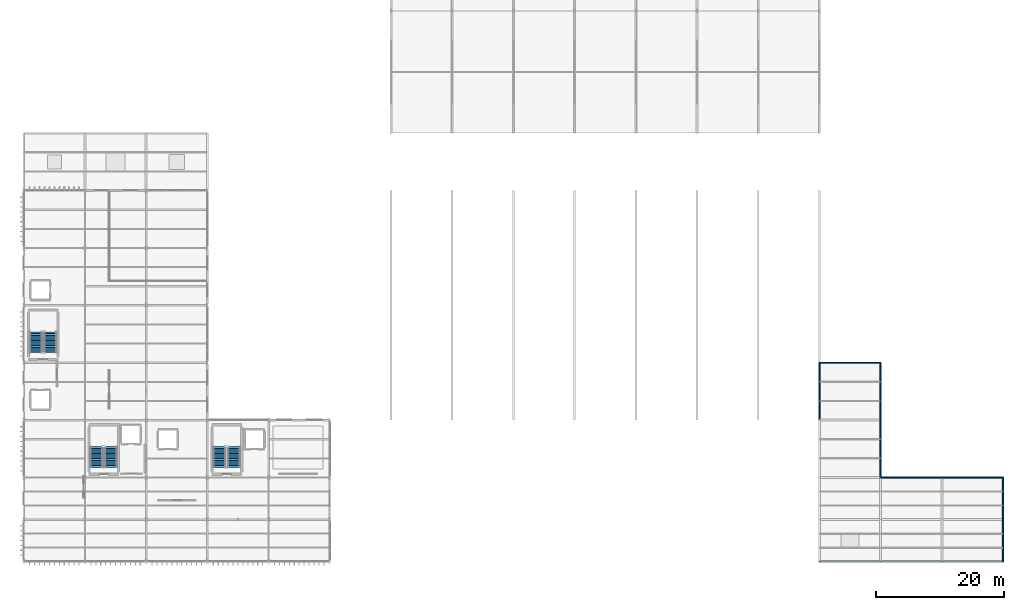
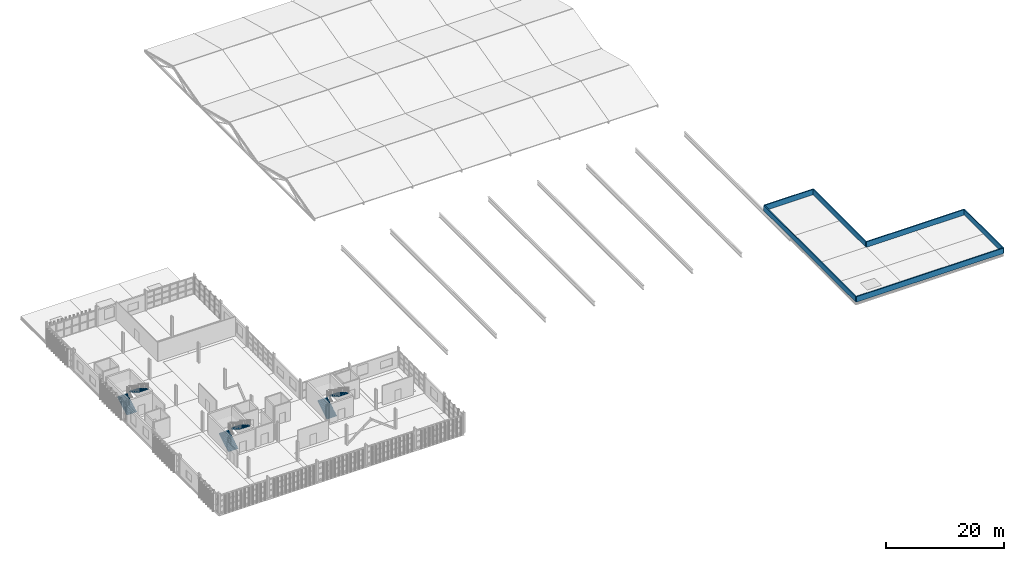
# One storey, part 33 of 52: 6 stair flights, 6 walls, 3 elements without a shape of their own.
"""IFC4 building model written with IfcOpenShell, lengths in metres."""

from ifc_helpers import new_model, si_unit, direction, frame, frame_2d, origin, place, context, subcontext, project, spatial, polyline, rectangle, outline, extrude, material, layer, layer_set, type_object, element, aggregate, save


model = new_model("IFC4")

# Units and contexts
model_context = context("Model", 3, precision=1e-05, world=origin(), true_north=direction((0.0, 1.0)))
body_context = subcontext(model_context, "Body", "Model", "MODEL_VIEW")
ifc_project = project(units=[si_unit("LENGTHUNIT", "METRE"), si_unit("AREAUNIT", "SQUARE_METRE"), si_unit("VOLUMEUNIT", "CUBIC_METRE"), si_unit("PLANEANGLEUNIT", "RADIAN"), si_unit("MASSUNIT", "GRAM", prefix="KILO")], contexts=[model_context])

# Site, building, storey
site_placement = place(None, origin())
site = spatial("IfcSite", under=ifc_project, at=site_placement, CompositionType="ELEMENT")
building_placement = place(site_placement, origin())
building = spatial("IfcBuilding", under=site, at=building_placement, Name="Zarnetskaya Central Station", CompositionType="ELEMENT")
storey_placement = place(building_placement, frame((0.0, 0.0, 14.39990234375)))
storey = spatial("IfcBuildingStorey", under=building, at=storey_placement, Name="L03", CompositionType="ELEMENT", Elevation=14.39990234375)

# Walls
ifc_material_1 = material(Name="Precast concrete C40/50", Category="concrete")
ifc_layer = layer(ifc_material_1, 0.2099609375, Name="Precast concrete C40/50", Category="concrete")
ifc_layer_set = layer_set([ifc_layer], Name="Precast concrete C40/50")
wall_type = type_object("IfcWallType", Name="WALL-PRP-210", PredefinedType="PARAPET", material=ifc_layer_set)
wall_1_placement = place(storey_placement, frame((124.800048828125, 0.0, 0.0), z_axis=(0.0, 0.0, 1.0), x_axis=(0.0, 1.0, 0.0)))
element("IfcWall", 1, at=wall_1_placement, inside=storey, type_object=wall_type, Name="Roof parapet L03-01", PredefinedType="PARAPET", context=body_context, shape_type="SweptSolid", body=[
    extrude(rectangle(XDim=31.199951171875, YDim=0.2099609375, at=frame_2d((15.60009765625, 0.0))), origin(), (0.0, 0.0, 1.0), 1.1201171875),
])
wall_2_placement = place(storey_placement, frame((124.800048828125, 31.199951171875, 0.0), z_axis=(0.0, 0.0, 1.0), x_axis=(1.0, 0.0, 0.0)))
element("IfcWall", 2, at=wall_2_placement, inside=storey, type_object=wall_type, Name="Roof parapet L03-02", PredefinedType="PARAPET", context=body_context, shape_type="SweptSolid", body=[
    extrude(rectangle(XDim=9.599853515625, YDim=0.2099609375, at=frame_2d((4.7998046875, 0.0))), origin(), (0.0, 0.0, 1.0), 1.1201171875),
])
wall_3_placement = place(storey_placement, frame((134.39990234375, 31.199951171875, 0.0), z_axis=(0.0, 0.0, 1.0), x_axis=(0.0, -1.0, 0.0)))
element("IfcWall", 3, at=wall_3_placement, inside=storey, type_object=wall_type, Name="Roof parapet L03-03", PredefinedType="PARAPET", context=body_context, shape_type="SweptSolid", body=[
    extrude(rectangle(XDim=18.0, YDim=0.2099609375, at=frame_2d((9.0, 0.0))), origin(), (0.0, 0.0, 1.0), 1.1201171875),
])
wall_4_placement = place(storey_placement, frame((134.39990234375, 13.199951171875, 0.0), z_axis=(0.0, 0.0, 1.0), x_axis=(1.0, 0.0, 0.0)))
element("IfcWall", 4, at=wall_4_placement, inside=storey, type_object=wall_type, Name="Roof parapet L03-04", PredefinedType="PARAPET", context=body_context, shape_type="SweptSolid", body=[
    extrude(rectangle(XDim=19.2001953125, YDim=0.2099609375, at=frame_2d((9.60009765625, 0.0))), origin(), (0.0, 0.0, 1.0), 1.1201171875),
])
wall_5_placement = place(storey_placement, frame((153.60009765625, 13.199951171875, 0.0), z_axis=(0.0, 0.0, 1.0), x_axis=(0.0, -1.0, 0.0)))
element("IfcWall", 5, at=wall_5_placement, inside=storey, type_object=wall_type, Name="Roof parapet L03-05", PredefinedType="PARAPET", context=body_context, shape_type="SweptSolid", body=[
    extrude(rectangle(XDim=13.199951171875, YDim=0.2099609375, at=frame_2d((6.60009765625, 0.0))), origin(), (0.0, 0.0, 1.0), 1.1201171875),
])
wall_6_placement = place(storey_placement, frame((153.60009765625, 0.0, 0.0), z_axis=(0.0, 0.0, 1.0), x_axis=(-1.0, 0.0, 0.0)))
element("IfcWall", 6, at=wall_6_placement, inside=storey, type_object=wall_type, Name="Roof parapet L03-06", PredefinedType="PARAPET", context=body_context, shape_type="SweptSolid", body=[
    extrude(rectangle(XDim=28.800048828125, YDim=0.2099609375, at=frame_2d((14.39990234375, 0.0))), origin(), (0.0, 0.0, 1.0), 1.1201171875),
])

# Stair, stair flights
ifc_material_2 = material(Name="Concrete C30/37", Category="concrete")
stair_type_1 = type_object("IfcStairType", Name="STAIR-ASSY-01", PredefinedType="HALF_TURN_STAIR", material=ifc_material_2)
stair_1_placement = place(storey_placement, origin())
stair_1 = element("IfcStair", 7, at=stair_1_placement, inside=storey, type_object=stair_type_1, Name="Exit Stair ST-C1 L03", PredefinedType="HALF_TURN_STAIR")
stair_flight_type_1 = type_object("IfcStairFlightType", Name="FLT-TYPE-01", PredefinedType="STRAIGHT", material=ifc_material_2)
stair_flight_1_placement = place(storey_placement, frame((11.39990234375, 14.800048828125, 0.0), z_axis=(0.0, 0.0, 1.0), x_axis=(0.0, 1.0, 0.0)))
stair_flight_1 = element("IfcStairFlight", 8, at=stair_flight_1_placement, type_object=stair_flight_type_1, Name="ST-03 flight 1", NumberOfRisers=13, NumberOfTreads=12, PredefinedType="STRAIGHT", RiserHeight=0.161538462, TreadLength=0.27, context=body_context, shape_type="SweptSolid", body=[
    extrude(outline(polyline([(0.0, 0.0), (0.0, 0.16162109375), (0.27001953125, 0.16162109375), (0.27001953125, 0.322998046875), (0.5400390625, 0.322998046875), (0.5400390625, 0.484619140625), (0.81005859375, 0.484619140625), (0.81005859375, 0.646240234375), (1.080078125, 0.646240234375), (1.080078125, 0.8076171875), (1.35009765625, 0.8076171875), (1.35009765625, 0.96923828125), (1.6201171875, 0.96923828125), (1.6201171875, 1.130859375), (1.889892578125, 1.130859375), (1.889892578125, 1.292236328125), (2.159912109375, 1.292236328125), (2.159912109375, 1.453857421875), (2.429931640625, 1.453857421875), (2.429931640625, 1.615478515625), (2.699951171875, 1.615478515625), (2.699951171875, 1.77685546875), (2.969970703125, 1.77685546875), (2.969970703125, 1.9384765625), (3.239990234375, 1.9384765625), (3.239990234375, 2.10009765625), (3.239990234375, 1.763671875), (0.2919921875, 0.0), (0.0, 0.0)])), frame((0.0, 0.9599609375, 0.0), z_axis=(0.0, -1.0, 0.0), x_axis=(1.0, 0.0, 0.0)), (0.0, 0.0, 1.0), 1.919921875),
])
stair_flight_2_placement = place(storey_placement, frame((13.699951171875, 18.0400390625, 2.10009765625), z_axis=(0.0, 0.0, 1.0), x_axis=(0.0, -1.0, 0.0)))
stair_flight_2 = element("IfcStairFlight", 9, at=stair_flight_2_placement, type_object=stair_flight_type_1, Name="ST-03 flight 2", NumberOfRisers=13, NumberOfTreads=12, PredefinedType="STRAIGHT", RiserHeight=0.161538462, TreadLength=0.27, context=body_context, shape_type="SweptSolid", body=[
    extrude(outline(polyline([(0.0, 0.0), (0.0, 0.16162109375), (0.27001953125, 0.16162109375), (0.27001953125, 0.322998046875), (0.5400390625, 0.322998046875), (0.5400390625, 0.484619140625), (0.81005859375, 0.484619140625), (0.81005859375, 0.646240234375), (1.080078125, 0.646240234375), (1.080078125, 0.8076171875), (1.35009765625, 0.8076171875), (1.35009765625, 0.96923828125), (1.6201171875, 0.96923828125), (1.6201171875, 1.130859375), (1.889892578125, 1.130859375), (1.889892578125, 1.292236328125), (2.159912109375, 1.292236328125), (2.159912109375, 1.453857421875), (2.429931640625, 1.453857421875), (2.429931640625, 1.615478515625), (2.699951171875, 1.615478515625), (2.699951171875, 1.77685546875), (2.969970703125, 1.77685546875), (2.969970703125, 1.9384765625), (3.239990234375, 1.9384765625), (3.239990234375, 2.10009765625), (3.239990234375, 1.763671875), (0.2919921875, 0.0), (0.0, 0.0)])), frame((0.0, 0.9599609375, 0.0), z_axis=(0.0, -1.0, 0.0), x_axis=(1.0, 0.0, 0.0)), (0.0, 0.0, 1.0), 1.919921875),
])
aggregate(stair_1, [stair_flight_1, stair_flight_2])

stair_type_2 = type_object("IfcStairType", Name="STAIR-ASSY-02", PredefinedType="HALF_TURN_STAIR", material=ifc_material_2)
stair_2_placement = place(storey_placement, origin())
stair_2 = element("IfcStair", 10, at=stair_2_placement, inside=storey, type_object=stair_type_2, Name="Exit Stair ST-C2 L03", PredefinedType="HALF_TURN_STAIR")
stair_flight_type_2 = type_object("IfcStairFlightType", Name="FLT-TYPE-02", PredefinedType="STRAIGHT", material=ifc_material_2)
stair_flight_3_placement = place(storey_placement, frame((1.89990234375, 32.800048828125, 0.0), z_axis=(0.0, 0.0, 1.0), x_axis=(0.0, 1.0, 0.0)))
stair_flight_3 = element("IfcStairFlight", 11, at=stair_flight_3_placement, type_object=stair_flight_type_2, Name="ST-07 flight 1", NumberOfRisers=13, NumberOfTreads=12, PredefinedType="STRAIGHT", RiserHeight=0.161538462, TreadLength=0.27, context=body_context, shape_type="SweptSolid", body=[
    extrude(outline(polyline([(0.0, 0.0), (0.0, 0.16162109375), (0.27001953125, 0.16162109375), (0.27001953125, 0.322998046875), (0.5400390625, 0.322998046875), (0.5400390625, 0.484619140625), (0.81005859375, 0.484619140625), (0.81005859375, 0.646240234375), (1.080078125, 0.646240234375), (1.080078125, 0.8076171875), (1.35009765625, 0.8076171875), (1.35009765625, 0.96923828125), (1.6201171875, 0.96923828125), (1.6201171875, 1.130859375), (1.889892578125, 1.130859375), (1.889892578125, 1.292236328125), (2.159912109375, 1.292236328125), (2.159912109375, 1.453857421875), (2.429931640625, 1.453857421875), (2.429931640625, 1.615478515625), (2.699951171875, 1.615478515625), (2.699951171875, 1.77685546875), (2.969970703125, 1.77685546875), (2.969970703125, 1.9384765625), (3.239990234375, 1.9384765625), (3.239990234375, 2.10009765625), (3.239990234375, 1.763671875), (0.2919921875, 0.0), (0.0, 0.0)])), frame((0.0, 0.9599609375, 0.0), z_axis=(0.0, -1.0, 0.0), x_axis=(1.0, 0.0, 0.0)), (0.0, 0.0, 1.0), 1.919921875),
])
stair_flight_4_placement = place(storey_placement, frame((4.199951171875, 36.0400390625, 2.10009765625), z_axis=(0.0, 0.0, 1.0), x_axis=(0.0, -1.0, 0.0)))
stair_flight_4 = element("IfcStairFlight", 12, at=stair_flight_4_placement, type_object=stair_flight_type_2, Name="ST-07 flight 2", NumberOfRisers=13, NumberOfTreads=12, PredefinedType="STRAIGHT", RiserHeight=0.161538462, TreadLength=0.27, context=body_context, shape_type="SweptSolid", body=[
    extrude(outline(polyline([(0.0, 0.0), (0.0, 0.16162109375), (0.27001953125, 0.16162109375), (0.27001953125, 0.322998046875), (0.5400390625, 0.322998046875), (0.5400390625, 0.484619140625), (0.81005859375, 0.484619140625), (0.81005859375, 0.646240234375), (1.080078125, 0.646240234375), (1.080078125, 0.8076171875), (1.35009765625, 0.8076171875), (1.35009765625, 0.96923828125), (1.6201171875, 0.96923828125), (1.6201171875, 1.130859375), (1.889892578125, 1.130859375), (1.889892578125, 1.292236328125), (2.159912109375, 1.292236328125), (2.159912109375, 1.453857421875), (2.429931640625, 1.453857421875), (2.429931640625, 1.615478515625), (2.699951171875, 1.615478515625), (2.699951171875, 1.77685546875), (2.969970703125, 1.77685546875), (2.969970703125, 1.9384765625), (3.239990234375, 1.9384765625), (3.239990234375, 2.10009765625), (3.239990234375, 1.763671875), (0.2919921875, 0.0), (0.0, 0.0)])), frame((0.0, 0.9599609375, 0.0), z_axis=(0.0, -1.0, 0.0), x_axis=(1.0, 0.0, 0.0)), (0.0, 0.0, 1.0), 1.919921875),
])
aggregate(stair_2, [stair_flight_3, stair_flight_4])

stair_type_3 = type_object("IfcStairType", Name="STAIR-ASSY-03", PredefinedType="HALF_TURN_STAIR", material=ifc_material_2)
stair_3_placement = place(storey_placement, origin())
stair_3 = element("IfcStair", 13, at=stair_3_placement, inside=storey, type_object=stair_type_3, Name="Exit Stair ST-C3 L03", PredefinedType="HALF_TURN_STAIR")
stair_flight_type_3 = type_object("IfcStairFlightType", Name="FLT-TYPE-03", PredefinedType="STRAIGHT", material=ifc_material_2)
stair_flight_5_placement = place(storey_placement, frame((30.699951171875, 14.800048828125, 0.0), z_axis=(0.0, 0.0, 1.0), x_axis=(0.0, 1.0, 0.0)))
stair_flight_5 = element("IfcStairFlight", 14, at=stair_flight_5_placement, type_object=stair_flight_type_3, Name="ST-04 flight 1", NumberOfRisers=13, NumberOfTreads=12, PredefinedType="STRAIGHT", RiserHeight=0.161538462, TreadLength=0.27, context=body_context, shape_type="SweptSolid", body=[
    extrude(outline(polyline([(0.0, 0.0), (0.0, 0.16162109375), (0.27001953125, 0.16162109375), (0.27001953125, 0.322998046875), (0.5400390625, 0.322998046875), (0.5400390625, 0.484619140625), (0.81005859375, 0.484619140625), (0.81005859375, 0.646240234375), (1.080078125, 0.646240234375), (1.080078125, 0.8076171875), (1.35009765625, 0.8076171875), (1.35009765625, 0.96923828125), (1.6201171875, 0.96923828125), (1.6201171875, 1.130859375), (1.889892578125, 1.130859375), (1.889892578125, 1.292236328125), (2.159912109375, 1.292236328125), (2.159912109375, 1.453857421875), (2.429931640625, 1.453857421875), (2.429931640625, 1.615478515625), (2.699951171875, 1.615478515625), (2.699951171875, 1.77685546875), (2.969970703125, 1.77685546875), (2.969970703125, 1.9384765625), (3.239990234375, 1.9384765625), (3.239990234375, 2.10009765625), (3.239990234375, 1.763671875), (0.2919921875, 0.0), (0.0, 0.0)])), frame((0.0, 0.9599609375, 0.0), z_axis=(0.0, -1.0, 0.0), x_axis=(1.0, 0.0, 0.0)), (0.0, 0.0, 1.0), 1.919921875),
])
stair_flight_6_placement = place(storey_placement, frame((33.0, 18.0400390625, 2.10009765625), z_axis=(0.0, 0.0, 1.0), x_axis=(0.0, -1.0, 0.0)))
stair_flight_6 = element("IfcStairFlight", 15, at=stair_flight_6_placement, type_object=stair_flight_type_3, Name="ST-04 flight 2", NumberOfRisers=13, NumberOfTreads=12, PredefinedType="STRAIGHT", RiserHeight=0.161538462, TreadLength=0.27, context=body_context, shape_type="SweptSolid", body=[
    extrude(outline(polyline([(0.0, 0.0), (0.0, 0.16162109375), (0.27001953125, 0.16162109375), (0.27001953125, 0.322998046875), (0.5400390625, 0.322998046875), (0.5400390625, 0.484619140625), (0.81005859375, 0.484619140625), (0.81005859375, 0.646240234375), (1.080078125, 0.646240234375), (1.080078125, 0.8076171875), (1.35009765625, 0.8076171875), (1.35009765625, 0.96923828125), (1.6201171875, 0.96923828125), (1.6201171875, 1.130859375), (1.889892578125, 1.130859375), (1.889892578125, 1.292236328125), (2.159912109375, 1.292236328125), (2.159912109375, 1.453857421875), (2.429931640625, 1.453857421875), (2.429931640625, 1.615478515625), (2.699951171875, 1.615478515625), (2.699951171875, 1.77685546875), (2.969970703125, 1.77685546875), (2.969970703125, 1.9384765625), (3.239990234375, 1.9384765625), (3.239990234375, 2.10009765625), (3.239990234375, 1.763671875), (0.2919921875, 0.0), (0.0, 0.0)])), frame((0.0, 0.9599609375, 0.0), z_axis=(0.0, -1.0, 0.0), x_axis=(1.0, 0.0, 0.0)), (0.0, 0.0, 1.0), 1.919921875),
])
aggregate(stair_3, [stair_flight_5, stair_flight_6])

save(model, "model.ifc")
